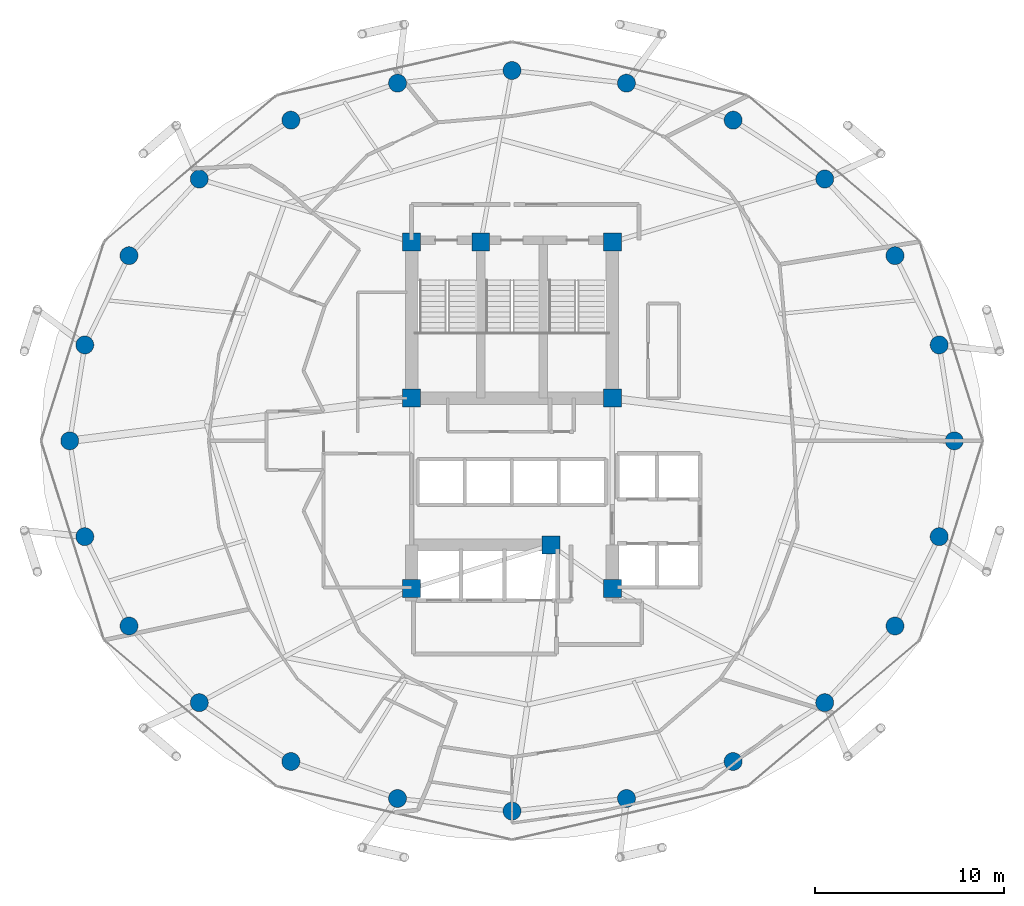
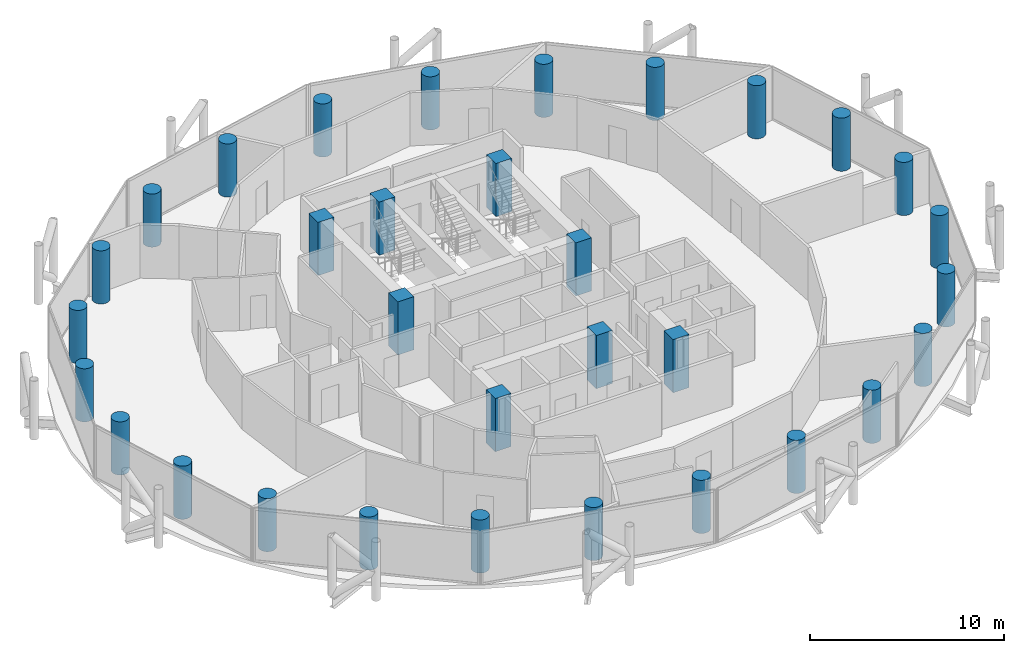
# One storey, part 1 of 26: 32 columns.
"""IFC4 building model written with IfcOpenShell, lengths in metres."""

from ifc_helpers import new_model, si_unit, direction, frame, origin, origin_2d, place, context, subcontext, project, spatial, rectangle, circle, extrude, material, material_profile, profile_set, type_object, element, save


model = new_model("IFC4")

# Units and contexts
model_context = context("Model", 3, precision=1e-05, world=origin(), true_north=direction((0.0, 1.0)))
body_context = subcontext(model_context, "Body", "Model", "MODEL_VIEW")
ifc_project = project(units=[si_unit("LENGTHUNIT", "METRE"), si_unit("AREAUNIT", "SQUARE_METRE"), si_unit("VOLUMEUNIT", "CUBIC_METRE"), si_unit("PLANEANGLEUNIT", "RADIAN"), si_unit("MASSUNIT", "GRAM", prefix="KILO")], contexts=[model_context])

# Site, building, storey
site_placement = place(None, origin())
site = spatial("IfcSite", under=ifc_project, at=site_placement, CompositionType="ELEMENT")
building_placement = place(site_placement, origin())
building = spatial("IfcBuilding", under=site, at=building_placement, Name="Nuhasar Tower", CompositionType="ELEMENT")
storey_placement = place(building_placement, frame((0.0, 0.0, 192.25)))
storey = spatial("IfcBuildingStorey", under=building, at=storey_placement, Name="L47", CompositionType="ELEMENT", Elevation=192.25)

# Columns
ifc_material = material(Name="Concrete C65/80", Category="concrete")
ifc_material_profile_1 = material_profile(ifc_material, circle(Radius=0.47509765625, at=origin_2d()), Name="CFT950")
ifc_profile_set_1 = profile_set([ifc_material_profile_1], Name="Concrete C65/80")
column_type_1 = type_object("IfcColumnType", Name="COL-CFT-950", PredefinedType="COLUMN", material=ifc_profile_set_1)
for number, where, z_axis, x_axis, name in (
    (1, (62.35009765625, 26.800048828125, 0.0), (0.0, 0.0, 1.0), (1.0, 0.0, 0.0), "L47 Perimeter Composite Column TC-01"),
    (2, (61.553955078125, 31.860107421875, 0.0), (0.0, 0.0, 1.0), (1.0, 0.0, 0.0), "L47 Perimeter Composite Column TC-02"),
    (3, (59.221923828125, 36.574951171875, 0.0), (0.0, 0.0, 1.0), (1.0, 0.0, 0.0), "L47 Perimeter Composite Column TC-03"),
    (4, (55.510986328125, 40.6240234375, 0.0), (0.0, 0.0, 1.0), (1.0, 0.0, 0.0), "L47 Perimeter Composite Column TC-04"),
    (5, (50.675048828125, 43.73095703125, 0.0), (0.0, 0.0, 1.0), (1.0, 0.0, 0.0), "L47 Perimeter Composite Column TC-05"),
    (6, (45.04296875, 45.68408203125, 0.0), (0.0, 0.0, 1.0), (1.0, 0.0, 0.0), "L47 Perimeter Composite Column TC-06"),
    (7, (39.0, 46.35009765625, 0.0), (0.0, 0.0, 1.0), (1.0, 0.0, 0.0), "L47 Perimeter Composite Column TC-07"),
    (8, (32.95703125, 45.68408203125, 0.0), (0.0, 0.0, 1.0), (1.0, 0.0, 0.0), "L47 Perimeter Composite Column TC-08"),
    (9, (27.324951171875, 43.73095703125, 0.0), (0.0, 0.0, 1.0), (1.0, 0.0, 0.0), "L47 Perimeter Composite Column TC-09"),
    (10, (22.489013671875, 40.6240234375, 0.0), (0.0, 0.0, 1.0), (1.0, 0.0, 0.0), "L47 Perimeter Composite Column TC-10"),
    (11, (18.778076171875, 36.574951171875, 0.0), (0.0, 0.0, 1.0), (1.0, 0.0, 0.0), "L47 Perimeter Composite Column TC-11"),
    (12, (16.446044921875, 31.860107421875, 0.0), (0.0, 0.0, 1.0), (1.0, 0.0, 0.0), "L47 Perimeter Composite Column TC-12"),
    (13, (15.64990234375, 26.800048828125, 0.0), (0.0, 0.0, 1.0), (1.0, 0.0, 0.0), "L47 Perimeter Composite Column TC-13"),
    (14, (16.446044921875, 21.739990234375, 0.0), (0.0, 0.0, 1.0), (1.0, 0.0, 0.0), "L47 Perimeter Composite Column TC-14"),
    (15, (18.778076171875, 17.02490234375, 0.0), (0.0, 0.0, 1.0), (1.0, 0.0, 0.0), "L47 Perimeter Composite Column TC-15"),
    (16, (22.489013671875, 12.97607421875, 0.0), (0.0, 0.0, 1.0), (1.0, 0.0, 0.0), "L47 Perimeter Composite Column TC-16"),
    (17, (27.324951171875, 9.868896484375, 0.0), (0.0, 0.0, 1.0), (1.0, 0.0, 0.0), "L47 Perimeter Composite Column TC-17"),
    (18, (32.95703125, 7.916015625, 0.0), (0.0, 0.0, 1.0), (1.0, 0.0, 0.0), "L47 Perimeter Composite Column TC-18"),
    (19, (39.0, 7.25, 0.0), (0.0, 0.0, 1.0), (1.0, 0.0, 0.0), "L47 Perimeter Composite Column TC-19"),
    (20, (45.04296875, 7.916015625, 0.0), (0.0, 0.0, 1.0), (1.0, 0.0, 0.0), "L47 Perimeter Composite Column TC-20"),
    (21, (50.675048828125, 9.868896484375, 0.0), (0.0, 0.0, 1.0), (1.0, 0.0, 0.0), "L47 Perimeter Composite Column TC-21"),
    (22, (55.510986328125, 12.97607421875, 0.0), (0.0, 0.0, 1.0), (1.0, 0.0, 0.0), "L47 Perimeter Composite Column TC-22"),
    (23, (59.221923828125, 17.02490234375, 0.0), (0.0, 0.0, 1.0), (1.0, 0.0, 0.0), "L47 Perimeter Composite Column TC-23"),
    (24, (61.553955078125, 21.739990234375, 0.0), (0.0, 0.0, 1.0), (1.0, 0.0, 0.0), "L47 Perimeter Composite Column TC-24"),
):
    element("IfcColumn", number, at=place(storey_placement, frame(where, z_axis=z_axis, x_axis=x_axis)), inside=storey, type_object=column_type_1, Name=name, PredefinedType="COLUMN", context=body_context, shape_type="SweptSolid", body=[
        extrude(circle(Radius=0.47509765625, at=origin_2d()), origin(), (0.0, 0.0, 1.0), 3.35009765625),
    ])
ifc_material_profile_2 = material_profile(ifc_material, rectangle(XDim=0.949951171875, YDim=0.949951171875, at=origin_2d()), Name="RC950X950")
ifc_profile_set_2 = profile_set([ifc_material_profile_2], Name="Concrete C65/80")
column_type_2 = type_object("IfcColumnType", Name="PIL-RC-950", PredefinedType="PILASTER", material=ifc_profile_set_2)
for number, where, z_axis, x_axis, name in (
    (25, (33.699951171875, 19.0, 0.0), (0.0, 0.0, 1.0), (1.0, 0.0, 0.0), "L47 Core Boundary Pilaster CC-01"),
    (26, (41.050048828125, 21.300048828125, 0.0), (0.0, 0.0, 1.0), (1.0, 0.0, 0.0), "L47 Core Boundary Pilaster CC-02"),
    (27, (44.300048828125, 19.0, 0.0), (0.0, 0.0, 1.0), (1.0, 0.0, 0.0), "L47 Core Boundary Pilaster CC-03"),
    (28, (44.300048828125, 29.050048828125, 0.0), (0.0, 0.0, 1.0), (1.0, 0.0, 0.0), "L47 Core Boundary Pilaster CC-04"),
    (29, (44.300048828125, 37.300048828125, 0.0), (0.0, 0.0, 1.0), (1.0, 0.0, 0.0), "L47 Core Boundary Pilaster CC-05"),
    (30, (37.35009765625, 37.300048828125, 0.0), (0.0, 0.0, 1.0), (1.0, 0.0, 0.0), "L47 Core Boundary Pilaster CC-06"),
    (31, (33.699951171875, 37.300048828125, 0.0), (0.0, 0.0, 1.0), (1.0, 0.0, 0.0), "L47 Core Boundary Pilaster CC-07"),
    (32, (33.699951171875, 29.050048828125, 0.0), (0.0, 0.0, 1.0), (1.0, 0.0, 0.0), "L47 Core Boundary Pilaster CC-08"),
):
    element("IfcColumn", number, at=place(storey_placement, frame(where, z_axis=z_axis, x_axis=x_axis)), inside=storey, type_object=column_type_2, Name=name, PredefinedType="PILASTER", context=body_context, shape_type="SweptSolid", body=[
        extrude(rectangle(XDim=0.949951171875, YDim=0.949951171875, at=origin_2d()), origin(), (0.0, 0.0, 1.0), 3.35009765625),
    ])

save(model, "model.ifc")
